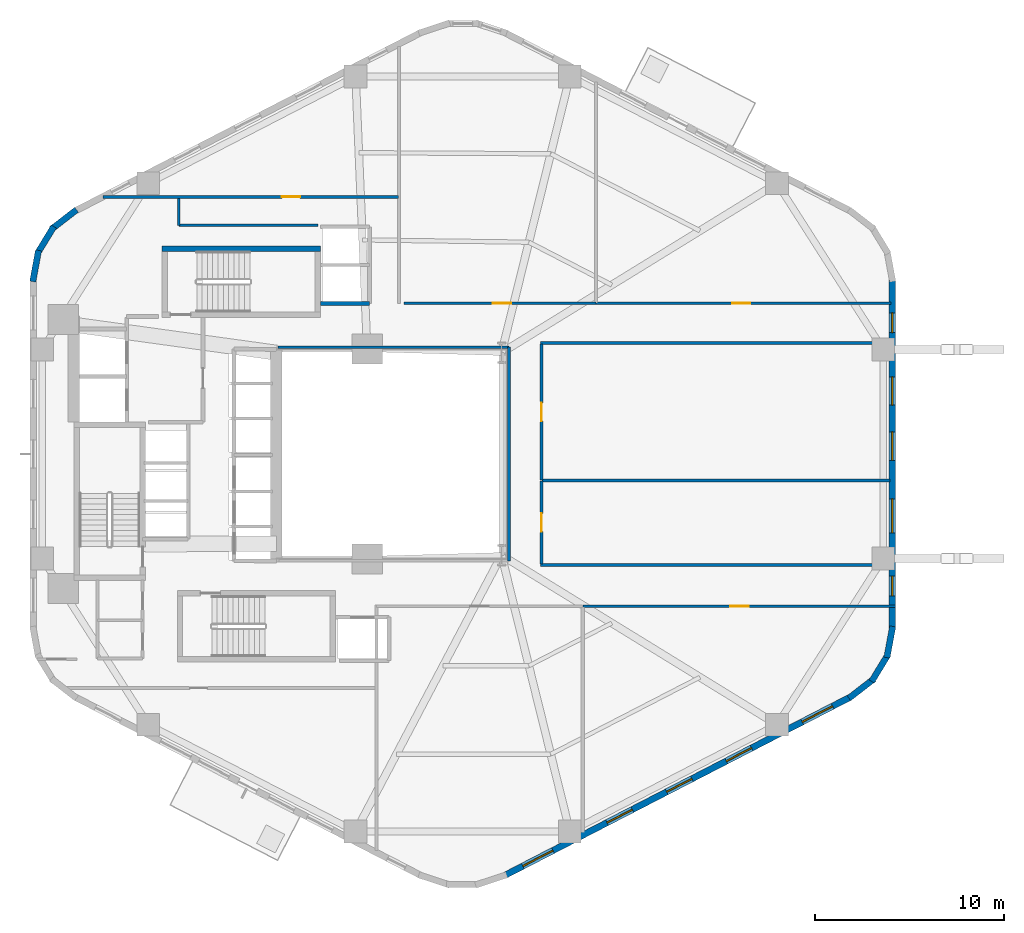
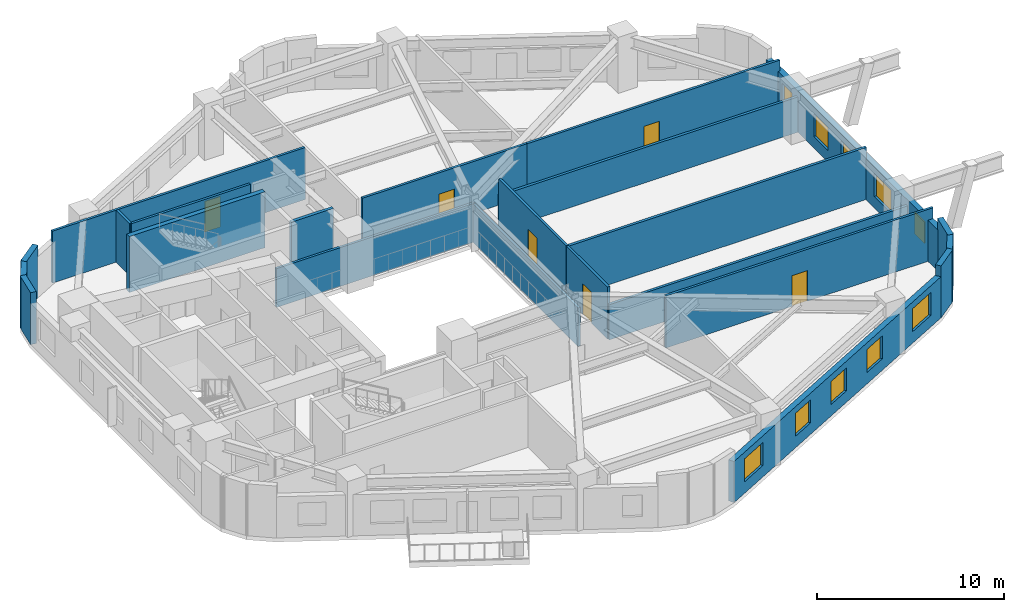
# One storey, part 4 of 7: 23 walls, 10 windows, 6 doors, 16 openings.
"""IFC4 building model written with IfcOpenShell, lengths in metres."""

import ifcopenshell
import ifcopenshell.guid

model = None  # the IFC model being written
_history = None  # IfcOwnerHistory: only IFC2X3 demands one
_inside = {}  # id of a spatial element -> (the spatial element, [elements in it])
_under = {}  # id of a project, library or spatial element -> (it, [spatial elements below it])
_declared = {}  # id of a project -> (the project, [libraries it declares])
_typed = {}  # id of a type object -> (the type object, [elements of that type])
_made_of = {}  # id of a material, layer set ... -> (it, [elements and type objects made of it])


def new_model(schema):
    """Start an empty IFC model of exactly this schema.

    Asked for "IFC4X3", IfcOpenShell would pick the latest addendum, in which some entities
    have other attributes; the version numbers below select the first issue.
    IFC2X3 requires an IfcOwnerHistory on every rooted entity: one is made here for all.
    """
    global model, _history
    if schema == "IFC4X3":
        model = ifcopenshell.file(schema_version=(4, 3, 0, 0))
    else:
        model = ifcopenshell.file(schema=schema)
    _inside.clear()
    _under.clear()
    _declared.clear()
    _typed.clear()
    _made_of.clear()
    _history = None
    if model.schema == "IFC2X3":
        org = make("IfcOrganization", Name="unknown")
        user = make(
            "IfcPersonAndOrganization",
            ThePerson=make("IfcPerson", FamilyName="unknown"),
            TheOrganization=org,
        )
        app = make(
            "IfcApplication",
            ApplicationDeveloper=org,
            Version="unknown",
            ApplicationFullName="unknown",
            ApplicationIdentifier="unknown",
        )
        _history = make(
            "IfcOwnerHistory",
            OwningUser=user,
            OwningApplication=app,
            ChangeAction="ADDED",
            CreationDate=0,
        )
    return model


def make(cls, **values):
    """One entity of the class cls with the attributes given. An attribute that is None is left unset."""
    return model.create_entity(
        cls, **{name: value for name, value in values.items() if value is not None}
    )


def rooted(cls, **values):
    """An entity with a GlobalId (a new one), such as an element, a storey or a relation."""
    return make(cls, GlobalId=ifcopenshell.guid.new(), OwnerHistory=_history, **values)


def si_unit(unit_type, name, prefix=None):
    """IfcSIUnit, for example si_unit("LENGTHUNIT", "METRE", prefix="MILLI")."""
    return make("IfcSIUnit", UnitType=unit_type, Prefix=prefix, Name=name)


def assignment(units):
    """IfcUnitAssignment: the units of a project."""
    return None if units is None else make("IfcUnitAssignment", Units=units)


def point(xyz):
    """IfcCartesianPoint."""
    return None if xyz is None else make("IfcCartesianPoint", Coordinates=xyz)


def direction(xyz):
    """IfcDirection."""
    return None if xyz is None else make("IfcDirection", DirectionRatios=xyz)


def frame(location, z_axis=None, x_axis=None):
    """IfcAxis2Placement3D, a coordinate frame: its origin and axes. An axis left out is left unset."""
    return make(
        "IfcAxis2Placement3D",
        Location=point(location),
        Axis=direction(z_axis),
        RefDirection=direction(x_axis),
    )


def frame_2d(location, x_axis=None):
    """IfcAxis2Placement2D, a coordinate frame in the plane: its origin and x axis."""
    return make(
        "IfcAxis2Placement2D", Location=point(location), RefDirection=direction(x_axis)
    )


def origin():
    """The frame at (0, 0, 0) with its axes left unset."""
    return frame((0.0, 0.0, 0.0))


def place(relative_to, where):
    """IfcLocalPlacement: puts the frame where relative to a parent placement (None: the world)."""
    return make(
        "IfcLocalPlacement", PlacementRelTo=relative_to, RelativePlacement=where
    )


def context(
    kind, dimensions, precision=None, world=None, true_north=None, identifier=None
):
    """IfcGeometricRepresentationContext, for example the 3D "Model" context."""
    return make(
        "IfcGeometricRepresentationContext",
        ContextIdentifier=identifier,
        ContextType=kind,
        CoordinateSpaceDimension=dimensions,
        Precision=precision,
        WorldCoordinateSystem=world,
        TrueNorth=true_north,
    )


def subcontext(parent, identifier, kind, view, scale=None):
    """IfcGeometricRepresentationSubContext, for example "Body" below "Model"."""
    return make(
        "IfcGeometricRepresentationSubContext",
        ContextIdentifier=identifier,
        ContextType=kind,
        ParentContext=parent,
        TargetScale=scale,
        TargetView=view,
    )


def project(units=None, contexts=None):
    """IfcProject with its units and contexts."""
    return rooted(
        "IfcProject",
        Name="project",
        RepresentationContexts=contexts,
        UnitsInContext=assignment(units),
    )


def spatial(cls, under=None, at=None, **own):
    """A site, building, storey or space (cls), placed at a placement, below another one or the project."""
    s = rooted(cls, ObjectPlacement=at, **own)
    if under is not None:
        _under.setdefault(under.id(), (under, []))[1].append(s)
    return s


def profile(cls, at=None, kind="AREA", **sizes):
    """A parametric profile (cls). Its sizes go by their IFC names, for example OverallWidth=200.0."""
    return make(cls, ProfileType=kind, Position=at, **sizes)


def rectangle(**sizes):
    """IfcRectangleProfileDef."""
    return profile("IfcRectangleProfileDef", **sizes)


def extrude(swept, where, along, depth):
    """IfcExtrudedAreaSolid: the profile swept, set in the frame where, extruded along a direction by depth."""
    return make(
        "IfcExtrudedAreaSolid",
        SweptArea=swept,
        Position=where,
        ExtrudedDirection=direction(along),
        Depth=depth,
    )


def shape(context_of_items, identifier, shape_type, items):
    """IfcShapeRepresentation: the items that make up one representation, for example the "Body"."""
    return make(
        "IfcShapeRepresentation",
        ContextOfItems=context_of_items,
        RepresentationIdentifier=identifier,
        RepresentationType=shape_type,
        Items=items,
    )


def material(Name=None, Category=None):
    """IfcMaterial."""
    return make("IfcMaterial", Name=Name, Category=Category)


def layer(
    of_material, thickness, ventilated=None, Name=None, Category=None, Priority=None
):
    """IfcMaterialLayer: one layer of a wall or slab, of a material (None: an air gap)."""
    return make(
        "IfcMaterialLayer",
        Material=of_material,
        LayerThickness=thickness,
        IsVentilated=ventilated,
        Name=Name,
        Category=Category,
        Priority=Priority,
    )


def layer_set(layers, Name=None):
    """IfcMaterialLayerSet."""
    return make("IfcMaterialLayerSet", MaterialLayers=layers, LayerSetName=Name)


def made_of(thing, what):
    """Note that an element or type object is made of a material, layer set ...; save() writes the relation."""
    if what is not None:
        _made_of.setdefault(what.id(), (what, []))[1].append(thing)
    return thing


def type_object(cls, material=None, **own):
    """A type object (cls), such as IfcWallType, which elements share."""
    return made_of(rooted(cls, **own), material)


def element(
    cls,
    number,
    at=None,
    inside=None,
    cuts=None,
    type_object=None,
    material=None,
    context=None,
    identifier="Body",
    shape_type=None,
    held_by="IfcProductDefinitionShape",
    body=None,
    shapes=None,
    **own,
):
    """One element of the class cls, such as IfcWall. Its Tag is "e" and its number.

    at: its placement. inside: the storey or other place that contains it. cuts: it is an
    opening in that element (IfcRelVoidsElement). A single representation is given by context,
    identifier, shape_type and body (its items); several are given by shapes. held_by: the class
    of the entity that holds the representations. save() writes the other relations.
    """
    e = rooted(cls, Tag="e%d" % number, ObjectPlacement=at, **own)
    if body is not None:
        shapes = [shape(context, identifier, shape_type, body)]
    if shapes is not None:
        e.Representation = make(held_by, Representations=shapes)
    if inside is not None:
        _inside.setdefault(inside.id(), (inside, []))[1].append(e)
    if cuts is not None:
        rooted(
            "IfcRelVoidsElement", RelatingBuildingElement=cuts, RelatedOpeningElement=e
        )
    if type_object is not None:
        _typed.setdefault(type_object.id(), (type_object, []))[1].append(e)
    return made_of(e, material)


def fill(opening, filler):
    """IfcRelFillsElement: the door or window that sits in an opening."""
    return rooted(
        "IfcRelFillsElement",
        RelatingOpeningElement=opening,
        RelatedBuildingElement=filler,
    )


def aggregate(whole, parts):
    """IfcRelAggregates: a whole, such as a stair, and the parts it consists of."""
    return rooted("IfcRelAggregates", RelatingObject=whole, RelatedObjects=parts)


def save(model, path):
    """Write the relations noted so far, then the file.

    IfcRelAggregates (storeys below a building ...), IfcRelContainedInSpatialStructure (elements
    in a storey), IfcRelDefinesByType, IfcRelAssociatesMaterial and IfcRelDeclares: one each for
    every whole, place, type object, material and project.
    """
    for whole, parts in _under.values():
        aggregate(whole, parts)
    for where, things in _inside.values():
        rooted(
            "IfcRelContainedInSpatialStructure",
            RelatedElements=things,
            RelatingStructure=where,
        )
    for kind, things in _typed.values():
        rooted("IfcRelDefinesByType", RelatedObjects=things, RelatingType=kind)
    for what, things in _made_of.values():
        rooted("IfcRelAssociatesMaterial", RelatedObjects=things, RelatingMaterial=what)
    for by, libraries in _declared.values():
        rooted("IfcRelDeclares", RelatingContext=by, RelatedDefinitions=libraries)
    model.write(path)


model = new_model("IFC4")

# Units and contexts
model_context = context("Model", 3, precision=1e-05, world=origin(), true_north=direction((0.0, 1.0)))
body_context = subcontext(model_context, "Body", "Model", "MODEL_VIEW")
ifc_project = project(units=[si_unit("LENGTHUNIT", "METRE"), si_unit("AREAUNIT", "SQUARE_METRE"), si_unit("VOLUMEUNIT", "CUBIC_METRE"), si_unit("PLANEANGLEUNIT", "RADIAN"), si_unit("MASSUNIT", "GRAM", prefix="KILO"), si_unit("THERMODYNAMICTEMPERATUREUNIT", "KELVIN"), si_unit("POWERUNIT", "WATT")], contexts=[model_context])

# Site, building, storey
site_placement = place(None, origin())
site = spatial("IfcSite", under=ifc_project, at=site_placement, CompositionType="ELEMENT")
building_placement = place(site_placement, origin())
building = spatial("IfcBuilding", under=site, at=building_placement, Name="Skarre Station Tower", CompositionType="ELEMENT")
storey_placement = place(building_placement, frame((0.0, 0.0, 37.949951171875)))
storey = spatial("IfcBuildingStorey", under=building, at=storey_placement, Name="L09", CompositionType="ELEMENT", Elevation=37.949951171875)

# Walls
ifc_material_1 = material(Name="Acoustic Steel-Stud Gypsum Partition", Category="steel")
ifc_layer_1 = layer(ifc_material_1, 0.14990234375, Name="Acoustic Steel-Stud Gypsum Partition")
ifc_layer_set_1 = layer_set([ifc_layer_1], Name="Acoustic Steel-Stud Gypsum Partition")
wall_type_1 = type_object("IfcWallType", Name="Fire-Rated Corridor Acoustic Partition 150", PredefinedType="PARTITIONING", material=ifc_layer_set_1)
wall_1_placement = place(storey_placement, frame((39.840087890625, 29.639892578125, 0.0), z_axis=(0.0, 0.0, 1.0), x_axis=(-1.0, 0.0, 0.0)))
element("IfcWall", 1, at=wall_1_placement, inside=storey, type_object=wall_type_1, Name="L09 Interior Partition WL-PT-L09-ATRW-N", PredefinedType="PARTITIONING", context=body_context, shape_type="SweptSolid", body=[
    extrude(rectangle(XDim=12.2001953125, YDim=0.14990234375, at=frame_2d((6.10009765625, 0.0))), origin(), (0.0, 0.0, 1.0), 2.531005859375),
])
wall_2_placement = place(storey_placement, frame((39.840087890625, 18.360107421875, 0.0), z_axis=(0.0, 0.0, 1.0), x_axis=(0.0, 1.0, 0.0)))
element("IfcWall", 2, at=wall_2_placement, inside=storey, type_object=wall_type_1, Name="L09 Interior Partition WL-PT-L09-ATRW-E", PredefinedType="PARTITIONING", context=body_context, shape_type="SweptSolid", body=[
    extrude(rectangle(XDim=11.27978515625, YDim=0.14990234375, at=frame_2d((5.639892578125, 0.0))), origin(), (0.0, 0.0, 1.0), 2.512939453125),
])

# Wall, opening, door
wall_3_placement = place(storey_placement, frame((34.0, 37.580078125, 0.0), z_axis=(0.0, 0.0, 1.0), x_axis=(-1.0, 0.0, 0.0)))
wall_3 = element("IfcWall", 3, at=wall_3_placement, inside=storey, type_object=wall_type_1, Name="L09 Interior Partition WL-PT-L09-NWW1-CW", PredefinedType="PARTITIONING", context=body_context, shape_type="SweptSolid", body=[
    extrude(rectangle(XDim=15.60009765625, YDim=0.14990234375, at=frame_2d((7.800048828125, 0.0))), origin(), (0.0, 0.0, 1.0), 3.39013671875),
])
opening_1_placement = place(wall_3_placement, frame((5.195068359375, 0.0, 0.0)))
opening_1 = element("IfcOpeningElement", 4, at=opening_1_placement, cuts=wall_3, Name="Opening DR-FD60", PredefinedType="OPENING", context=body_context, shape_type="SweptSolid", body=[
    extrude(rectangle(XDim=0.9599609375, YDim=2.0, at=frame_2d((0.47998046875, 1.0))), frame((0.0, 0.0849609375, 0.0), z_axis=(0.0, -1.0, 0.0), x_axis=(1.0, 0.0, 0.0)), (0.0, 0.0, 1.0), 0.169921875),
])
ifc_material_2 = material(Name="Nordic White-Oak Veneer Solid-Core Fire Leaf", Category="wood")
door_type = type_object("IfcDoorType", Name="Corridor Suite Entry Fire Door FD60 960x2150", OperationType="SINGLE_SWING_LEFT", PredefinedType="DOOR", material=ifc_material_2)
door_1_placement = place(opening_1_placement, origin())
door_1 = element("IfcDoor", 5, at=door_1_placement, inside=storey, type_object=door_type, Name="L09 NWW1 Entry Door", OperationType="SINGLE_SWING_LEFT", OverallHeight=2.0, OverallWidth=0.9599609375, PredefinedType="DOOR", context=body_context, shape_type="SweptSolid", body=[
    extrude(rectangle(XDim=0.9599609375, YDim=2.0, at=frame_2d((0.47998046875, 1.0))), frame((0.0, 0.02490234375, 0.0), z_axis=(0.0, -1.0, 0.0), x_axis=(1.0, 0.0, 0.0)), (0.0, 0.0, 1.0), 0.050048828125),
])
fill(opening_1, door_1)

wall_4_placement = place(storey_placement, frame((44.427978515625, 31.9599609375, 0.0), z_axis=(0.0, 0.0, 1.0), x_axis=(-1.0, 0.0, 0.0)))
wall_4 = element("IfcWall", 6, at=wall_4_placement, inside=storey, type_object=wall_type_1, Name="L09 Interior Partition WL-PT-L09-NW1-CW", PredefinedType="PARTITIONING", context=body_context, shape_type="SweptSolid", body=[
    extrude(rectangle(XDim=10.137939453125, YDim=0.14990234375, at=frame_2d((5.06884765625, 0.0))), origin(), (0.0, 0.0, 1.0), 3.39013671875),
])
opening_2_placement = place(wall_4_placement, frame((4.469970703125, 0.0, 0.0)))
opening_2 = element("IfcOpeningElement", 7, at=opening_2_placement, cuts=wall_4, Name="Opening DR-FD60", PredefinedType="OPENING", context=body_context, shape_type="SweptSolid", body=[
    extrude(rectangle(XDim=0.9599609375, YDim=2.0, at=frame_2d((0.47998046875, 1.0))), frame((0.0, 0.0849609375, 0.0), z_axis=(0.0, -1.0, 0.0), x_axis=(1.0, 0.0, 0.0)), (0.0, 0.0, 1.0), 0.169921875),
])
door_2_placement = place(opening_2_placement, origin())
door_2 = element("IfcDoor", 8, at=door_2_placement, inside=storey, type_object=door_type, Name="L09 NW1 Entry Door", OperationType="SINGLE_SWING_LEFT", OverallHeight=2.0, OverallWidth=0.9599609375, PredefinedType="DOOR", context=body_context, shape_type="SweptSolid", body=[
    extrude(rectangle(XDim=0.9599609375, YDim=2.0, at=frame_2d((0.47998046875, 1.0))), frame((0.0, 0.02490234375, 0.0), z_axis=(0.0, -1.0, 0.0), x_axis=(1.0, 0.0, 0.0)), (0.0, 0.0, 1.0), 0.050048828125),
])
fill(opening_2, door_2)

wall_5_placement = place(storey_placement, frame((60.031982421875, 31.9599609375, 0.0), z_axis=(0.0, 0.0, 1.0), x_axis=(-1.0, 0.0, 0.0)))
wall_5 = element("IfcWall", 9, at=wall_5_placement, inside=storey, type_object=wall_type_1, Name="L09 Interior Partition WL-PT-L09-NW2-CW", PredefinedType="PARTITIONING", context=body_context, shape_type="SweptSolid", body=[
    extrude(rectangle(XDim=15.593994140625, YDim=0.14990234375, at=frame_2d((7.796875, 0.0))), origin(), (0.0, 0.0, 1.0), 3.39013671875),
])
opening_3_placement = place(wall_5_placement, frame((7.43701171875, 0.0, 0.0)))
opening_3 = element("IfcOpeningElement", 10, at=opening_3_placement, cuts=wall_5, Name="Opening DR-FD60", PredefinedType="OPENING", context=body_context, shape_type="SweptSolid", body=[
    extrude(rectangle(XDim=0.9599609375, YDim=2.0, at=frame_2d((0.47998046875, 1.0))), frame((0.0, 0.0849609375, 0.0), z_axis=(0.0, -1.0, 0.0), x_axis=(1.0, 0.0, 0.0)), (0.0, 0.0, 1.0), 0.169921875),
])
door_3_placement = place(opening_3_placement, origin())
door_3 = element("IfcDoor", 11, at=door_3_placement, inside=storey, type_object=door_type, Name="L09 NW2 Entry Door", OperationType="SINGLE_SWING_LEFT", OverallHeight=2.0, OverallWidth=0.9599609375, PredefinedType="DOOR", context=body_context, shape_type="SweptSolid", body=[
    extrude(rectangle(XDim=0.9599609375, YDim=2.0, at=frame_2d((0.47998046875, 1.0))), frame((0.0, 0.02490234375, 0.0), z_axis=(0.0, -1.0, 0.0), x_axis=(1.0, 0.0, 0.0)), (0.0, 0.0, 1.0), 0.050048828125),
])
fill(opening_3, door_3)

wall_6_placement = place(storey_placement, frame((41.56005859375, 18.179931640625, 0.0), z_axis=(0.0, 0.0, 1.0), x_axis=(0.0, 1.0, 0.0)))
wall_6 = element("IfcWall", 12, at=wall_6_placement, inside=storey, type_object=wall_type_1, Name="L09 Interior Partition WL-PT-L09-EW1-CW", PredefinedType="PARTITIONING", context=body_context, shape_type="SweptSolid", body=[
    extrude(rectangle(XDim=4.405029296875, YDim=0.14990234375, at=frame_2d((2.20263671875, 0.0))), origin(), (0.0, 0.0, 1.0), 3.39013671875),
])
opening_4_placement = place(wall_6_placement, frame((1.722900390625, 0.0, 0.0)))
opening_4 = element("IfcOpeningElement", 13, at=opening_4_placement, cuts=wall_6, Name="Opening DR-FD60", PredefinedType="OPENING", context=body_context, shape_type="SweptSolid", body=[
    extrude(rectangle(XDim=0.9599609375, YDim=2.0, at=frame_2d((0.47998046875, 1.0))), frame((0.0, 0.0849609375, 0.0), z_axis=(0.0, -1.0, 0.0), x_axis=(1.0, 0.0, 0.0)), (0.0, 0.0, 1.0), 0.169921875),
])
door_4_placement = place(opening_4_placement, origin())
door_4 = element("IfcDoor", 14, at=door_4_placement, inside=storey, type_object=door_type, Name="L09 EW1 Entry Door", OperationType="SINGLE_SWING_LEFT", OverallHeight=2.0, OverallWidth=0.9599609375, PredefinedType="DOOR", context=body_context, shape_type="SweptSolid", body=[
    extrude(rectangle(XDim=0.9599609375, YDim=2.0, at=frame_2d((0.47998046875, 1.0))), frame((0.0, 0.02490234375, 0.0), z_axis=(0.0, -1.0, 0.0), x_axis=(1.0, 0.0, 0.0)), (0.0, 0.0, 1.0), 0.050048828125),
])
fill(opening_4, door_4)

wall_7_placement = place(storey_placement, frame((41.56005859375, 22.62109375, 0.0), z_axis=(0.0, 0.0, 1.0), x_axis=(0.0, 1.0, 0.0)))
wall_7 = element("IfcWall", 15, at=wall_7_placement, inside=storey, type_object=wall_type_1, Name="L09 Interior Partition WL-PT-L09-EW2-CW", PredefinedType="PARTITIONING", context=body_context, shape_type="SweptSolid", body=[
    extrude(rectangle(XDim=7.198974609375, YDim=0.14990234375, at=frame_2d((3.599609375, 0.0))), origin(), (0.0, 0.0, 1.0), 3.39013671875),
])
opening_5_placement = place(wall_7_placement, frame((3.1201171875, 0.0, 0.0)))
opening_5 = element("IfcOpeningElement", 16, at=opening_5_placement, cuts=wall_7, Name="Opening DR-FD60", PredefinedType="OPENING", context=body_context, shape_type="SweptSolid", body=[
    extrude(rectangle(XDim=0.9599609375, YDim=2.0, at=frame_2d((0.47998046875, 1.0))), frame((0.0, 0.0849609375, 0.0), z_axis=(0.0, -1.0, 0.0), x_axis=(1.0, 0.0, 0.0)), (0.0, 0.0, 1.0), 0.169921875),
])
door_5_placement = place(opening_5_placement, origin())
door_5 = element("IfcDoor", 17, at=door_5_placement, inside=storey, type_object=door_type, Name="L09 EW2 Entry Door", OperationType="SINGLE_SWING_LEFT", OverallHeight=2.0, OverallWidth=0.9599609375, PredefinedType="DOOR", context=body_context, shape_type="SweptSolid", body=[
    extrude(rectangle(XDim=0.9599609375, YDim=2.0, at=frame_2d((0.47998046875, 1.0))), frame((0.0, 0.02490234375, 0.0), z_axis=(0.0, -1.0, 0.0), x_axis=(1.0, 0.0, 0.0)), (0.0, 0.0, 1.0), 0.050048828125),
])
fill(opening_5, door_5)

wall_8_placement = place(storey_placement, frame((43.7548828125, 15.9599609375, 0.0), z_axis=(0.0, 0.0, 1.0), x_axis=(1.0, 0.0, 0.0)))
wall_8 = element("IfcWall", 18, at=wall_8_placement, inside=storey, type_object=wall_type_1, Name="L09 Interior Partition WL-PT-L09-SW2-CW", PredefinedType="PARTITIONING", context=body_context, shape_type="SweptSolid", body=[
    extrude(rectangle(XDim=16.498046875, YDim=0.14990234375, at=frame_2d((8.2490234375, 0.0))), origin(), (0.0, 0.0, 1.0), 3.39013671875),
])
opening_6_placement = place(wall_8_placement, frame((7.782958984375, 0.0, 0.0)))
opening_6 = element("IfcOpeningElement", 19, at=opening_6_placement, cuts=wall_8, Name="Opening DR-FD60", PredefinedType="OPENING", context=body_context, shape_type="SweptSolid", body=[
    extrude(rectangle(XDim=0.9599609375, YDim=2.0, at=frame_2d((0.47998046875, 1.0))), frame((0.0, 0.0849609375, 0.0), z_axis=(0.0, -1.0, 0.0), x_axis=(1.0, 0.0, 0.0)), (0.0, 0.0, 1.0), 0.169921875),
])
door_6_placement = place(opening_6_placement, origin())
door_6 = element("IfcDoor", 20, at=door_6_placement, inside=storey, type_object=door_type, Name="L09 SW2 Entry Door", OperationType="SINGLE_SWING_LEFT", OverallHeight=2.0, OverallWidth=0.9599609375, PredefinedType="DOOR", context=body_context, shape_type="SweptSolid", body=[
    extrude(rectangle(XDim=0.9599609375, YDim=2.0, at=frame_2d((0.47998046875, 1.0))), frame((0.0, 0.02490234375, 0.0), z_axis=(0.0, -1.0, 0.0), x_axis=(1.0, 0.0, 0.0)), (0.0, 0.0, 1.0), 0.050048828125),
])
fill(opening_6, door_6)

# Walls
wall_9_placement = place(storey_placement, frame((29.7529296875, 36.080078125, 0.0), z_axis=(0.0, 0.0, 1.0), x_axis=(-1.0, 0.0, 0.0)))
element("IfcWall", 21, at=wall_9_placement, inside=storey, type_object=wall_type_1, Name="L09 Interior Partition WL-PT-L09-CSEAL-1", PredefinedType="PARTITIONING", context=body_context, shape_type="SweptSolid", body=[
    extrude(rectangle(XDim=7.35302734375, YDim=0.14990234375, at=frame_2d((3.676513671875, 0.0))), origin(), (0.0, 0.0, 1.0), 3.39013671875),
])
wall_10_placement = place(storey_placement, frame((22.39990234375, 36.080078125, 0.0), z_axis=(0.0, 0.0, 1.0), x_axis=(0.0, 1.0, 0.0)))
element("IfcWall", 22, at=wall_10_placement, inside=storey, type_object=wall_type_1, Name="L09 Interior Partition WL-PT-L09-CSEAL-2", PredefinedType="PARTITIONING", context=body_context, shape_type="SweptSolid", body=[
    extrude(rectangle(XDim=1.429931640625, YDim=0.14990234375, at=frame_2d((0.71484375, 0.0))), origin(), (0.0, 0.0, 1.0), 3.39013671875),
])

# Wall, openings, windows
ifc_material_3 = material(Name="Precast concrete C45/55", Category="concrete")
ifc_layer_2 = layer(ifc_material_3, 0.340087890625, Name="Precast concrete C45/55")
ifc_layer_set_2 = layer_set([ifc_layer_2], Name="Precast concrete C45/55")
wall_type_2 = type_object("IfcWallType", Name="Nordic Honed Precast Facet Wall 340", PredefinedType="STANDARD", material=ifc_layer_set_2)
wall_11_placement = place(storey_placement, frame((57.8759765625, 11.158935546875, 0.0), z_axis=(0.0, 0.0, 1.0), x_axis=(-0.888634413993, -0.458616264721, 0.0)))
wall_11 = element("IfcWall", 23, at=wall_11_placement, inside=storey, type_object=wall_type_2, Name="L09 Facet 4 Nordic Precast Masonry Wall", PredefinedType="STANDARD", context=body_context, shape_type="SweptSolid", body=[
    extrude(rectangle(XDim=20.53125, YDim=0.340087890625, at=frame_2d((10.265625, 0.0))), origin(), (0.0, 0.0, 1.0), 2.68408203125),
])
opening_7_placement = place(wall_11_placement, frame((1.05810546875, 0.0, 0.75)))
opening_7 = element("IfcOpeningElement", 24, at=opening_7_placement, cuts=wall_11, Name="Opening WN-Z1A", PredefinedType="OPENING", context=body_context, shape_type="SweptSolid", body=[
    extrude(rectangle(XDim=1.800048828125, YDim=1.5, at=frame_2d((0.89990234375, 0.75))), frame((0.0, 0.179931640625, 0.0), z_axis=(0.0, -1.0, 0.0), x_axis=(1.0, 0.0, 0.0)), (0.0, 0.0, 1.0), 0.360107421875),
])
opening_8_placement = place(wall_11_placement, frame((5.8701171875, 0.0, 0.75)))
opening_8 = element("IfcOpeningElement", 25, at=opening_8_placement, cuts=wall_11, Name="Opening WN-Z1B", PredefinedType="OPENING", context=body_context, shape_type="SweptSolid", body=[
    extrude(rectangle(XDim=1.5, YDim=1.5, at=frame_2d((0.75, 0.75))), frame((0.0, 0.179931640625, 0.0), z_axis=(0.0, -1.0, 0.0), x_axis=(1.0, 0.0, 0.0)), (0.0, 0.0, 1.0), 0.360107421875),
])
opening_9_placement = place(wall_11_placement, frame((9.416015625, 0.0, 0.75)))
opening_9 = element("IfcOpeningElement", 26, at=opening_9_placement, cuts=wall_11, Name="Opening WN-Z1B", PredefinedType="OPENING", context=body_context, shape_type="SweptSolid", body=[
    extrude(rectangle(XDim=1.5, YDim=1.5, at=frame_2d((0.75, 0.75))), frame((0.0, 0.179931640625, 0.0), z_axis=(0.0, -1.0, 0.0), x_axis=(1.0, 0.0, 0.0)), (0.0, 0.0, 1.0), 0.360107421875),
])
opening_10_placement = place(wall_11_placement, frame((12.962890625, 0.0, 0.75)))
opening_10 = element("IfcOpeningElement", 27, at=opening_10_placement, cuts=wall_11, Name="Opening WN-Z1B", PredefinedType="OPENING", context=body_context, shape_type="SweptSolid", body=[
    extrude(rectangle(XDim=1.5, YDim=1.5, at=frame_2d((0.75, 0.75))), frame((0.0, 0.179931640625, 0.0), z_axis=(0.0, -1.0, 0.0), x_axis=(1.0, 0.0, 0.0)), (0.0, 0.0, 1.0), 0.360107421875),
])
opening_11_placement = place(wall_11_placement, frame((17.673095703125, 0.0, 0.75)))
opening_11 = element("IfcOpeningElement", 28, at=opening_11_placement, cuts=wall_11, Name="Opening WN-Z1A", PredefinedType="OPENING", context=body_context, shape_type="SweptSolid", body=[
    extrude(rectangle(XDim=1.800048828125, YDim=1.5, at=frame_2d((0.89990234375, 0.75))), frame((0.0, 0.179931640625, 0.0), z_axis=(0.0, -1.0, 0.0), x_axis=(1.0, 0.0, 0.0)), (0.0, 0.0, 1.0), 0.360107421875),
])
ifc_material_4 = material(Name="Low-Iron Triple Glazing with Bronze Anodized Frame", Category="glass")
window_type_1 = type_object("IfcWindowType", Name="Nordic Punched Triple-Glazed Window 1500x1500", PartitioningType="SINGLE_PANEL", PredefinedType="WINDOW", material=ifc_material_4)
window_1_placement = place(opening_8_placement, origin())
window_1 = element("IfcWindow", 29, at=window_1_placement, inside=storey, type_object=window_type_1, Name="L09 Facade Window WL-FAC-L09-F4-2", OverallHeight=1.5, OverallWidth=1.5, PartitioningType="SINGLE_PANEL", PredefinedType="WINDOW", context=body_context, shape_type="SweptSolid", body=[
    extrude(rectangle(XDim=1.5, YDim=1.5, at=frame_2d((0.75, 0.75))), frame((0.0, 0.030029296875, 0.0), z_axis=(0.0, -1.0, 0.0), x_axis=(1.0, 0.0, 0.0)), (0.0, 0.0, 1.0), 0.06005859375),
])
fill(opening_8, window_1)
window_2_placement = place(opening_9_placement, origin())
window_2 = element("IfcWindow", 30, at=window_2_placement, inside=storey, type_object=window_type_1, Name="L09 Facade Window WL-FAC-L09-F4-3", OverallHeight=1.5, OverallWidth=1.5, PartitioningType="SINGLE_PANEL", PredefinedType="WINDOW", context=body_context, shape_type="SweptSolid", body=[
    extrude(rectangle(XDim=1.5, YDim=1.5, at=frame_2d((0.75, 0.75))), frame((0.0, 0.030029296875, 0.0), z_axis=(0.0, -1.0, 0.0), x_axis=(1.0, 0.0, 0.0)), (0.0, 0.0, 1.0), 0.06005859375),
])
fill(opening_9, window_2)
window_3_placement = place(opening_10_placement, origin())
window_3 = element("IfcWindow", 31, at=window_3_placement, inside=storey, type_object=window_type_1, Name="L09 Facade Window WL-FAC-L09-F4-4", OverallHeight=1.5, OverallWidth=1.5, PartitioningType="SINGLE_PANEL", PredefinedType="WINDOW", context=body_context, shape_type="SweptSolid", body=[
    extrude(rectangle(XDim=1.5, YDim=1.5, at=frame_2d((0.75, 0.75))), frame((0.0, 0.030029296875, 0.0), z_axis=(0.0, -1.0, 0.0), x_axis=(1.0, 0.0, 0.0)), (0.0, 0.0, 1.0), 0.06005859375),
])
fill(opening_10, window_3)
window_type_2 = type_object("IfcWindowType", Name="Nordic Punched Triple-Glazed Window 1800x1500", PartitioningType="SINGLE_PANEL", PredefinedType="WINDOW", material=ifc_material_4)
window_4_placement = place(opening_7_placement, origin())
window_4 = element("IfcWindow", 32, at=window_4_placement, inside=storey, type_object=window_type_2, Name="L09 Facade Window WL-FAC-L09-F4-1", OverallHeight=1.5, OverallWidth=1.800048828125, PartitioningType="SINGLE_PANEL", PredefinedType="WINDOW", context=body_context, shape_type="SweptSolid", body=[
    extrude(rectangle(XDim=1.800048828125, YDim=1.5, at=frame_2d((0.89990234375, 0.75))), frame((0.0, 0.030029296875, 0.0), z_axis=(0.0, -1.0, 0.0), x_axis=(1.0, 0.0, 0.0)), (0.0, 0.0, 1.0), 0.06005859375),
])
fill(opening_7, window_4)
window_5_placement = place(opening_11_placement, origin())
window_5 = element("IfcWindow", 33, at=window_5_placement, inside=storey, type_object=window_type_2, Name="L09 Facade Window WL-FAC-L09-F4-5", OverallHeight=1.5, OverallWidth=1.800048828125, PartitioningType="SINGLE_PANEL", PredefinedType="WINDOW", context=body_context, shape_type="SweptSolid", body=[
    extrude(rectangle(XDim=1.800048828125, YDim=1.5, at=frame_2d((0.89990234375, 0.75))), frame((0.0, 0.030029296875, 0.0), z_axis=(0.0, -1.0, 0.0), x_axis=(1.0, 0.0, 0.0)), (0.0, 0.0, 1.0), 0.06005859375),
])
fill(opening_11, window_5)

wall_12_placement = place(storey_placement, frame((60.093017578125, 33.201904296875, 0.0), z_axis=(0.0, 0.0, 1.0), x_axis=(0.0, -1.0, 0.0)))
wall_12 = element("IfcWall", 34, at=wall_12_placement, inside=storey, type_object=wall_type_2, Name="L09 Facet 5 Nordic Precast Masonry Wall", PredefinedType="STANDARD", context=body_context, shape_type="SweptSolid", body=[
    extrude(rectangle(XDim=18.40380859375, YDim=0.340087890625, at=frame_2d((9.201904296875, 0.0))), origin(), (0.0, 0.0, 1.0), 2.68408203125),
])
opening_12_placement = place(wall_12_placement, frame((1.743896484375, 0.0, 0.75)))
opening_12 = element("IfcOpeningElement", 35, at=opening_12_placement, cuts=wall_12, Name="Opening WN-SLT", PredefinedType="OPENING", context=body_context, shape_type="SweptSolid", body=[
    extrude(rectangle(XDim=1.050048828125, YDim=1.39990234375, at=frame_2d((0.52490234375, 0.699951171875))), frame((0.0, 0.179931640625, 0.0), z_axis=(0.0, -1.0, 0.0), x_axis=(1.0, 0.0, 0.0)), (0.0, 0.0, 1.0), 0.360107421875),
])
opening_13_placement = place(wall_12_placement, frame((5.125, 0.0, 0.75)))
opening_13 = element("IfcOpeningElement", 36, at=opening_13_placement, cuts=wall_12, Name="Opening WN-Z1B", PredefinedType="OPENING", context=body_context, shape_type="SweptSolid", body=[
    extrude(rectangle(XDim=1.5, YDim=1.5, at=frame_2d((0.75, 0.75))), frame((0.0, 0.179931640625, 0.0), z_axis=(0.0, -1.0, 0.0), x_axis=(1.0, 0.0, 0.0)), (0.0, 0.0, 1.0), 0.360107421875),
])
opening_14_placement = place(wall_12_placement, frame((8.032958984375, 0.0, 0.75)))
opening_14 = element("IfcOpeningElement", 37, at=opening_14_placement, cuts=wall_12, Name="Opening WN-Z1B", PredefinedType="OPENING", context=body_context, shape_type="SweptSolid", body=[
    extrude(rectangle(XDim=1.5, YDim=1.5, at=frame_2d((0.75, 0.75))), frame((0.0, 0.179931640625, 0.0), z_axis=(0.0, -1.0, 0.0), x_axis=(1.0, 0.0, 0.0)), (0.0, 0.0, 1.0), 0.360107421875),
])
opening_15_placement = place(wall_12_placement, frame((11.572021484375, 0.0, 0.75)))
opening_15 = element("IfcOpeningElement", 38, at=opening_15_placement, cuts=wall_12, Name="Opening WN-Z1A", PredefinedType="OPENING", context=body_context, shape_type="SweptSolid", body=[
    extrude(rectangle(XDim=1.800048828125, YDim=1.5, at=frame_2d((0.89990234375, 0.75))), frame((0.0, 0.179931640625, 0.0), z_axis=(0.0, -1.0, 0.0), x_axis=(1.0, 0.0, 0.0)), (0.0, 0.0, 1.0), 0.360107421875),
])
opening_16_placement = place(wall_12_placement, frame((15.64990234375, 0.0, 0.75)))
opening_16 = element("IfcOpeningElement", 39, at=opening_16_placement, cuts=wall_12, Name="Opening WN-SLT", PredefinedType="OPENING", context=body_context, shape_type="SweptSolid", body=[
    extrude(rectangle(XDim=1.050048828125, YDim=1.39990234375, at=frame_2d((0.52490234375, 0.699951171875))), frame((0.0, 0.179931640625, 0.0), z_axis=(0.0, -1.0, 0.0), x_axis=(1.0, 0.0, 0.0)), (0.0, 0.0, 1.0), 0.360107421875),
])
window_type_3 = type_object("IfcWindowType", Name="Nordic Corner Slot Window 1050x1400", PartitioningType="SINGLE_PANEL", PredefinedType="WINDOW", material=ifc_material_4)
window_6_placement = place(opening_12_placement, origin())
window_6 = element("IfcWindow", 40, at=window_6_placement, inside=storey, type_object=window_type_3, Name="L09 Facade Window WL-FAC-L09-F5-1", OverallHeight=1.39990234375, OverallWidth=1.050048828125, PartitioningType="SINGLE_PANEL", PredefinedType="WINDOW", context=body_context, shape_type="SweptSolid", body=[
    extrude(rectangle(XDim=1.050048828125, YDim=1.39990234375, at=frame_2d((0.52490234375, 0.699951171875))), frame((0.0, 0.030029296875, 0.0), z_axis=(0.0, -1.0, 0.0), x_axis=(1.0, 0.0, 0.0)), (0.0, 0.0, 1.0), 0.06005859375),
])
fill(opening_12, window_6)
window_7_placement = place(opening_16_placement, origin())
window_7 = element("IfcWindow", 41, at=window_7_placement, inside=storey, type_object=window_type_3, Name="L09 Facade Window WL-FAC-L09-F5-5", OverallHeight=1.39990234375, OverallWidth=1.050048828125, PartitioningType="SINGLE_PANEL", PredefinedType="WINDOW", context=body_context, shape_type="SweptSolid", body=[
    extrude(rectangle(XDim=1.050048828125, YDim=1.39990234375, at=frame_2d((0.52490234375, 0.699951171875))), frame((0.0, 0.030029296875, 0.0), z_axis=(0.0, -1.0, 0.0), x_axis=(1.0, 0.0, 0.0)), (0.0, 0.0, 1.0), 0.06005859375),
])
fill(opening_16, window_7)
window_8_placement = place(opening_13_placement, origin())
window_8 = element("IfcWindow", 42, at=window_8_placement, inside=storey, type_object=window_type_1, Name="L09 Facade Window WL-FAC-L09-F5-2", OverallHeight=1.5, OverallWidth=1.5, PartitioningType="SINGLE_PANEL", PredefinedType="WINDOW", context=body_context, shape_type="SweptSolid", body=[
    extrude(rectangle(XDim=1.5, YDim=1.5, at=frame_2d((0.75, 0.75))), frame((0.0, 0.030029296875, 0.0), z_axis=(0.0, -1.0, 0.0), x_axis=(1.0, 0.0, 0.0)), (0.0, 0.0, 1.0), 0.06005859375),
])
fill(opening_13, window_8)
window_9_placement = place(opening_14_placement, origin())
window_9 = element("IfcWindow", 43, at=window_9_placement, inside=storey, type_object=window_type_1, Name="L09 Facade Window WL-FAC-L09-F5-3", OverallHeight=1.5, OverallWidth=1.5, PartitioningType="SINGLE_PANEL", PredefinedType="WINDOW", context=body_context, shape_type="SweptSolid", body=[
    extrude(rectangle(XDim=1.5, YDim=1.5, at=frame_2d((0.75, 0.75))), frame((0.0, 0.030029296875, 0.0), z_axis=(0.0, -1.0, 0.0), x_axis=(1.0, 0.0, 0.0)), (0.0, 0.0, 1.0), 0.06005859375),
])
fill(opening_14, window_9)
window_10_placement = place(opening_15_placement, origin())
window_10 = element("IfcWindow", 44, at=window_10_placement, inside=storey, type_object=window_type_2, Name="L09 Facade Window WL-FAC-L09-F5-4", OverallHeight=1.5, OverallWidth=1.800048828125, PartitioningType="SINGLE_PANEL", PredefinedType="WINDOW", context=body_context, shape_type="SweptSolid", body=[
    extrude(rectangle(XDim=1.800048828125, YDim=1.5, at=frame_2d((0.89990234375, 0.75))), frame((0.0, 0.030029296875, 0.0), z_axis=(0.0, -1.0, 0.0), x_axis=(1.0, 0.0, 0.0)), (0.0, 0.0, 1.0), 0.06005859375),
])
fill(opening_15, window_10)

# Walls
ifc_layer_3 = layer(ifc_material_3, 0.330078125, Name="Precast concrete C45/55")
ifc_layer_set_3 = layer_set([ifc_layer_3], Name="Precast concrete C45/55")
wall_type_3 = type_object("IfcWallType", Name="Nordic Rounded Corner Precast Wall 330", PredefinedType="STANDARD", material=ifc_layer_set_3)
wall_13_placement = place(storey_placement, frame((14.68701171875, 33.10791015625, 0.0), z_axis=(0.0, 0.0, 1.0), x_axis=(0.181714143354, 0.983351397063, 0.0)))
element("IfcWall", 45, at=wall_13_placement, inside=storey, type_object=wall_type_3, Name="L09 Rounded Corner Precast Wall F2-1", PredefinedType="STANDARD", context=body_context, shape_type="SweptSolid", body=[
    extrude(rectangle(XDim=1.677978515625, YDim=0.330078125, at=frame_2d((0.8388671875, 0.0))), origin(), (0.0, 0.0, 1.0), 3.39013671875),
])
wall_14_placement = place(storey_placement, frame((14.925048828125, 34.5830078125, 0.0), z_axis=(0.0, 0.0, 1.0), x_axis=(0.520584129191, 0.853810379671, 0.0)))
element("IfcWall", 46, at=wall_14_placement, inside=storey, type_object=wall_type_3, Name="L09 Rounded Corner Precast Wall F2-2", PredefinedType="STANDARD", context=body_context, shape_type="SweptSolid", body=[
    extrude(rectangle(XDim=1.677001953125, YDim=0.330078125, at=frame_2d((0.83837890625, 0.0))), origin(), (0.0, 0.0, 1.0), 3.39013671875),
])
wall_15_placement = place(storey_placement, frame((15.673095703125, 35.875, 0.0), z_axis=(0.0, 0.0, 1.0), x_axis=(0.790691856293, 0.61221433207, 0.0)))
element("IfcWall", 47, at=wall_15_placement, inside=storey, type_object=wall_type_3, Name="L09 Rounded Corner Precast Wall F2-3", PredefinedType="STANDARD", context=body_context, shape_type="SweptSolid", body=[
    extrude(rectangle(XDim=1.67578125, YDim=0.330078125, at=frame_2d((0.837890625, 0.0))), origin(), (0.0, 0.0, 1.0), 3.39013671875),
])
wall_16_placement = place(storey_placement, frame((60.113037109375, 14.89208984375, 0.0), z_axis=(0.0, 0.0, 1.0), x_axis=(-0.181714143354, -0.983351397063, 0.0)))
element("IfcWall", 48, at=wall_16_placement, inside=storey, type_object=wall_type_3, Name="L09 Rounded Corner Precast Wall F5-1", PredefinedType="STANDARD", context=body_context, shape_type="SweptSolid", body=[
    extrude(rectangle(XDim=1.677978515625, YDim=0.330078125, at=frame_2d((0.8388671875, 0.0))), origin(), (0.0, 0.0, 1.0), 3.39013671875),
])
wall_17_placement = place(storey_placement, frame((59.875, 13.4169921875, 0.0), z_axis=(0.0, 0.0, 1.0), x_axis=(-0.520584129191, -0.853810379671, 0.0)))
element("IfcWall", 49, at=wall_17_placement, inside=storey, type_object=wall_type_3, Name="L09 Rounded Corner Precast Wall F5-2", PredefinedType="STANDARD", context=body_context, shape_type="SweptSolid", body=[
    extrude(rectangle(XDim=1.677001953125, YDim=0.330078125, at=frame_2d((0.83837890625, 0.0))), origin(), (0.0, 0.0, 1.0), 3.39013671875),
])
wall_18_placement = place(storey_placement, frame((59.126953125, 12.125, 0.0), z_axis=(0.0, 0.0, 1.0), x_axis=(-0.790691856293, -0.61221433207, 0.0)))
element("IfcWall", 50, at=wall_18_placement, inside=storey, type_object=wall_type_3, Name="L09 Rounded Corner Precast Wall F5-3", PredefinedType="STANDARD", context=body_context, shape_type="SweptSolid", body=[
    extrude(rectangle(XDim=1.67578125, YDim=0.330078125, at=frame_2d((0.837890625, 0.0))), origin(), (0.0, 0.0, 1.0), 3.39013671875),
])
ifc_material_5 = material(Name="Concrete C50/60", Category="concrete")
ifc_layer_4 = layer(ifc_material_5, 0.280029296875, Name="Concrete C50/60")
ifc_layer_set_4 = layer_set([ifc_layer_4], Name="Concrete C50/60")
wall_type_4 = type_object("IfcWallType", Name="RC Core Shear Wall 280", PredefinedType="SHEAR", material=ifc_layer_set_4)
wall_19_placement = place(storey_placement, frame((29.8798828125, 34.840087890625, 0.0), z_axis=(0.0, 0.0, 1.0), x_axis=(-1.0, 0.0, 0.0)))
element("IfcWall", 51, at=wall_19_placement, inside=storey, type_object=wall_type_4, Name="L09 Stair ST-3 North Shear Wall", PredefinedType="SHEAR", context=body_context, shape_type="SweptSolid", body=[
    extrude(rectangle(XDim=8.35986328125, YDim=0.280029296875, at=frame_2d((4.179931640625, 0.0))), origin(), (0.0, 0.0, 1.0), 3.650146484375),
])
ifc_material_6 = material(Name="Gypsum Concrete Shaft Assembly C30/37", Category="concrete")
ifc_layer_5 = layer(ifc_material_6, 0.199951171875, Name="Gypsum Concrete Shaft Assembly C30/37")
ifc_layer_set_5 = layer_set([ifc_layer_5], Name="Gypsum Concrete Shaft Assembly C30/37")
wall_type_5 = type_object("IfcWallType", Name="Shaft & Core Fire Partition 200", PredefinedType="PARTITIONING", material=ifc_layer_set_5)
wall_20_placement = place(storey_placement, frame((32.47998046875, 31.949951171875, 0.0), z_axis=(0.0, 0.0, 1.0), x_axis=(-1.0, 0.0, 0.0)))
element("IfcWall", 52, at=wall_20_placement, inside=storey, type_object=wall_type_5, Name="L09 Interior Partition WL-PT-L09-EX-S", PredefinedType="PARTITIONING", context=body_context, shape_type="SweptSolid", body=[
    extrude(rectangle(XDim=2.60009765625, YDim=0.199951171875, at=frame_2d((1.300048828125, 0.0))), origin(), (0.0, 0.0, 1.0), 3.39013671875),
])
ifc_layer_6 = layer(ifc_material_1, 0.1650390625, Name="Acoustic Steel-Stud Gypsum Partition")
ifc_layer_set_6 = layer_set([ifc_layer_6], Name="Acoustic Steel-Stud Gypsum Partition")
wall_type_6 = type_object("IfcWallType", Name="Suite Demising Acoustic Partition 165", PredefinedType="PARTITIONING", material=ifc_layer_set_6)
for number, where, z_axis, x_axis, name in (
    (53, (41.52001953125, 18.139892578125, 0.0), (0.0, 0.0, 1.0), (1.0, 0.0, 0.0), "L09 Interior Partition WL-PT-L09-EWB-S"),
    (54, (41.52001953125, 29.860107421875, 0.0), (0.0, 0.0, 1.0), (1.0, 0.0, 0.0), "L09 Interior Partition WL-PT-L09-EWB-N"),
):
    element("IfcWall", number, at=place(storey_placement, frame(where, z_axis=z_axis, x_axis=x_axis)), inside=storey, type_object=wall_type_6, Name=name, PredefinedType="PARTITIONING", context=body_context, shape_type="SweptSolid", body=[
        extrude(rectangle(XDim=18.452880859375, YDim=0.1650390625, at=frame_2d((9.2265625, 0.0))), origin(), (0.0, 0.0, 1.0), 2.298095703125),
    ])
wall_21_placement = place(storey_placement, frame((41.590087890625, 22.60302734375, 0.0), z_axis=(0.0, 0.0, 1.0), x_axis=(1.0, 0.0, 0.0)))
element("IfcWall", 55, at=wall_21_placement, inside=storey, type_object=wall_type_6, Name="L09 Interior Partition WL-PT-L09-EW-P1", PredefinedType="PARTITIONING", context=body_context, shape_type="SweptSolid", body=[
    extrude(rectangle(XDim=18.3828125, YDim=0.1650390625, at=frame_2d((9.19140625, 0.0))), origin(), (0.0, 0.0, 1.0), 3.39013671875),
])

save(model, "model.ifc")
